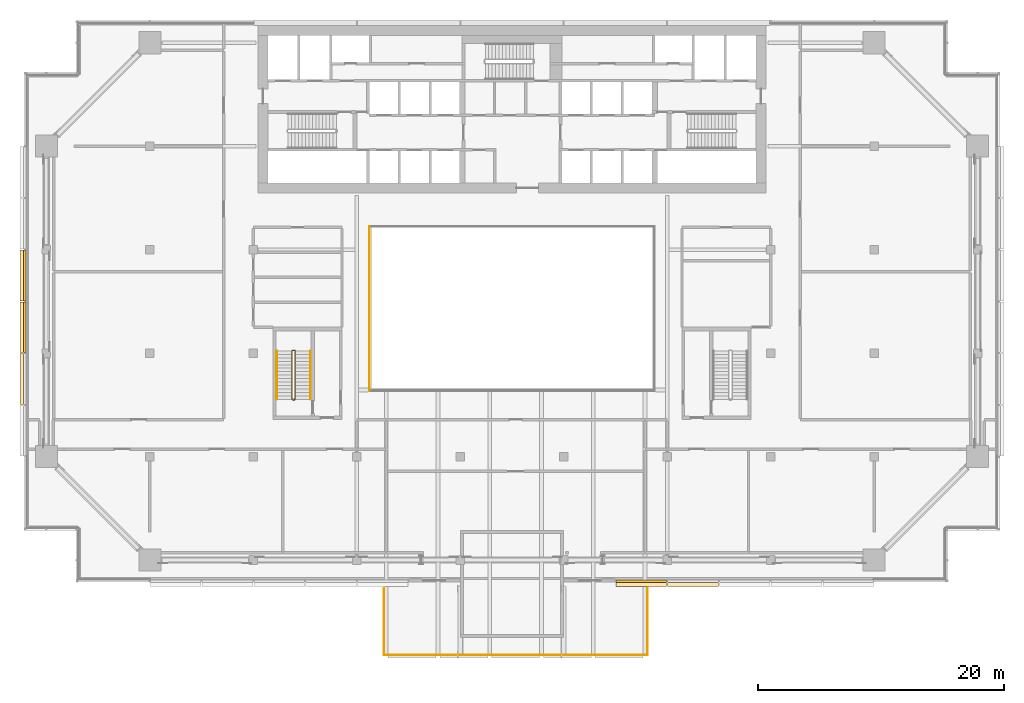
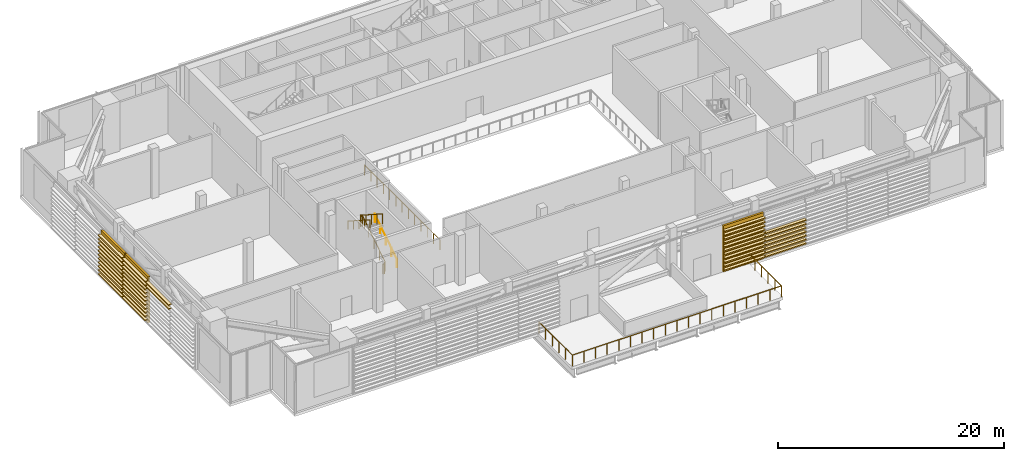
# One storey, part 26 of 29: 45 coverings, 5 railings.
"""IFC4 building model written with IfcOpenShell, lengths in metres."""

from ifc_helpers import new_model, si_unit, direction, frame, origin, origin_2d, place, context, subcontext, project, spatial, polyline, circle, outline, extrude, material, layer, layer_set, type_object, element, save


model = new_model("IFC4")

# Units and contexts
model_context = context("Model", 3, precision=1e-05, world=origin(), true_north=direction((0.0, 1.0)))
body_context = subcontext(model_context, "Body", "Model", "MODEL_VIEW")
ifc_project = project(units=[si_unit("LENGTHUNIT", "METRE"), si_unit("AREAUNIT", "SQUARE_METRE"), si_unit("VOLUMEUNIT", "CUBIC_METRE"), si_unit("PLANEANGLEUNIT", "RADIAN"), si_unit("MASSUNIT", "GRAM", prefix="KILO")], contexts=[model_context])

# Site, building, storey
site_placement = place(None, origin())
site = spatial("IfcSite", under=ifc_project, at=site_placement, CompositionType="ELEMENT")
building_placement = place(site_placement, origin())
building = spatial("IfcBuilding", under=site, at=building_placement, Name="Saffron Gate Tower", CompositionType="ELEMENT")
storey_placement = place(building_placement, frame((0.0, 0.0, 142.050048828125)))
storey = spatial("IfcBuildingStorey", under=building, at=storey_placement, Name="L34", CompositionType="ELEMENT", Elevation=142.050048828125)

# Railings
ifc_material_1 = material(Name="Stainless steel and laminated glass", Category="steel")
railing_type_1 = type_object("IfcRailingType", Name="AG1 Atrium edge guard 1100", PredefinedType="GUARDRAIL", material=ifc_material_1)
railing_1_placement = place(storey_placement, frame((76.02001953125, 45.5400390625, 0.0)))
element("IfcRailing", 1, at=railing_1_placement, inside=storey, type_object=railing_type_1, Name="Guard SL-1", PredefinedType="GUARDRAIL", context=body_context, shape_type="SweptSolid", body=[
    extrude(circle(Radius=0.02392578125, at=origin_2d()), frame((0.0, 0.0, 1.076171875), z_axis=(0.0, 1.0, 0.0), x_axis=(-1.0, 0.0, 0.0)), (0.0, 0.0, 1.0), 13.320068359375),
    extrude(circle(Radius=0.02099609375, at=origin_2d()), origin(), (0.0, 0.0, 1.0), 1.052001953125),
    extrude(circle(Radius=0.02099609375, at=origin_2d()), frame((0.0, 1.110107421875, 0.0)), (0.0, 0.0, 1.0), 1.052001953125),
    extrude(circle(Radius=0.02099609375, at=origin_2d()), frame((0.0, 2.219970703125, 0.0)), (0.0, 0.0, 1.0), 1.052001953125),
    extrude(circle(Radius=0.02099609375, at=origin_2d()), frame((0.0, 3.330078125, 0.0)), (0.0, 0.0, 1.0), 1.052001953125),
    extrude(circle(Radius=0.02099609375, at=origin_2d()), frame((0.0, 4.43994140625, 0.0)), (0.0, 0.0, 1.0), 1.052001953125),
    extrude(circle(Radius=0.02099609375, at=origin_2d()), frame((0.0, 5.550048828125, 0.0)), (0.0, 0.0, 1.0), 1.052001953125),
    extrude(circle(Radius=0.02099609375, at=origin_2d()), frame((0.0, 6.66015625, 0.0)), (0.0, 0.0, 1.0), 1.052001953125),
    extrude(circle(Radius=0.02099609375, at=origin_2d()), frame((0.0, 7.77001953125, 0.0)), (0.0, 0.0, 1.0), 1.052001953125),
    extrude(circle(Radius=0.02099609375, at=origin_2d()), frame((0.0, 8.880126953125, 0.0)), (0.0, 0.0, 1.0), 1.052001953125),
    extrude(circle(Radius=0.02099609375, at=origin_2d()), frame((0.0, 9.989990234375, 0.0)), (0.0, 0.0, 1.0), 1.052001953125),
    extrude(circle(Radius=0.02099609375, at=origin_2d()), frame((0.0, 11.10009765625, 0.0)), (0.0, 0.0, 1.0), 1.052001953125),
    extrude(circle(Radius=0.02099609375, at=origin_2d()), frame((0.0, 12.2099609375, 0.0)), (0.0, 0.0, 1.0), 1.052001953125),
    extrude(circle(Radius=0.02099609375, at=origin_2d()), frame((0.0, 13.320068359375, 0.0)), (0.0, 0.0, 1.0), 1.052001953125),
])
ifc_material_2 = material(Name="Stainless steel posts and toughened glass infill", Category="steel")
railing_type_2 = type_object("IfcRailingType", Name="BAL1 balustrade 1200", PredefinedType="BALUSTRADE", material=ifc_material_2)
railing_2_placement = place(storey_placement, frame((77.199951171875, 30.0, 0.0)))
element("IfcRailing", 2, at=railing_2_placement, inside=storey, type_object=railing_type_2, Name="POOL TERRACE glass guard", PredefinedType="BALUSTRADE", context=body_context, shape_type="SweptSolid", body=[
    extrude(circle(Radius=0.02392578125, at=origin_2d()), frame((0.0, 0.0, 1.17578125), z_axis=(0.0, -1.0, 0.0), x_axis=(1.0, 0.0, 0.0)), (0.0, 0.0, 1.0), 5.89990234375),
    extrude(circle(Radius=0.02392578125, at=origin_2d()), frame((0.0, -5.89990234375, 1.17578125), z_axis=(1.0, 0.0, 0.0), x_axis=(0.0, 1.0, 0.0)), (0.0, 0.0, 1.0), 21.400146484375),
    extrude(circle(Radius=0.02392578125, at=origin_2d()), frame((21.400146484375, -5.89990234375, 1.17578125), z_axis=(0.0, 1.0, 0.0), x_axis=(-1.0, 0.0, 0.0)), (0.0, 0.0, 1.0), 5.89990234375),
    extrude(circle(Radius=0.02099609375, at=origin_2d()), origin(), (0.0, 0.0, 1.0), 1.15185546875),
    extrude(circle(Radius=0.02099609375, at=origin_2d()), frame((0.0, -1.179931640625, 0.0)), (0.0, 0.0, 1.0), 1.15185546875),
    extrude(circle(Radius=0.02099609375, at=origin_2d()), frame((0.0, -2.35986328125, 0.0)), (0.0, 0.0, 1.0), 1.15185546875),
    extrude(circle(Radius=0.02099609375, at=origin_2d()), frame((0.0, -3.5400390625, 0.0)), (0.0, 0.0, 1.0), 1.15185546875),
    extrude(circle(Radius=0.02099609375, at=origin_2d()), frame((0.0, -4.719970703125, 0.0)), (0.0, 0.0, 1.0), 1.15185546875),
    extrude(circle(Radius=0.02099609375, at=origin_2d()), frame((0.0, -5.89990234375, 0.0)), (0.0, 0.0, 1.0), 1.15185546875),
    extrude(circle(Radius=0.02099609375, at=origin_2d()), frame((1.18896484375, -5.89990234375, 0.0)), (0.0, 0.0, 1.0), 1.15185546875),
    extrude(circle(Radius=0.02099609375, at=origin_2d()), frame((2.377685546875, -5.89990234375, 0.0)), (0.0, 0.0, 1.0), 1.15185546875),
    extrude(circle(Radius=0.02099609375, at=origin_2d()), frame((3.566650390625, -5.89990234375, 0.0)), (0.0, 0.0, 1.0), 1.15185546875),
    extrude(circle(Radius=0.02099609375, at=origin_2d()), frame((4.755615234375, -5.89990234375, 0.0)), (0.0, 0.0, 1.0), 1.15185546875),
    extrude(circle(Radius=0.02099609375, at=origin_2d()), frame((5.944580078125, -5.89990234375, 0.0)), (0.0, 0.0, 1.0), 1.15185546875),
    extrude(circle(Radius=0.02099609375, at=origin_2d()), frame((7.13330078125, -5.89990234375, 0.0)), (0.0, 0.0, 1.0), 1.15185546875),
    extrude(circle(Radius=0.02099609375, at=origin_2d()), frame((8.322265625, -5.89990234375, 0.0)), (0.0, 0.0, 1.0), 1.15185546875),
    extrude(circle(Radius=0.02099609375, at=origin_2d()), frame((9.51123046875, -5.89990234375, 0.0)), (0.0, 0.0, 1.0), 1.15185546875),
    extrude(circle(Radius=0.02099609375, at=origin_2d()), frame((10.7001953125, -5.89990234375, 0.0)), (0.0, 0.0, 1.0), 1.15185546875),
    extrude(circle(Radius=0.02099609375, at=origin_2d()), frame((11.888916015625, -5.89990234375, 0.0)), (0.0, 0.0, 1.0), 1.15185546875),
    extrude(circle(Radius=0.02099609375, at=origin_2d()), frame((13.077880859375, -5.89990234375, 0.0)), (0.0, 0.0, 1.0), 1.15185546875),
    extrude(circle(Radius=0.02099609375, at=origin_2d()), frame((14.266845703125, -5.89990234375, 0.0)), (0.0, 0.0, 1.0), 1.15185546875),
    extrude(circle(Radius=0.02099609375, at=origin_2d()), frame((15.45556640625, -5.89990234375, 0.0)), (0.0, 0.0, 1.0), 1.15185546875),
    extrude(circle(Radius=0.02099609375, at=origin_2d()), frame((16.64453125, -5.89990234375, 0.0)), (0.0, 0.0, 1.0), 1.15185546875),
    extrude(circle(Radius=0.02099609375, at=origin_2d()), frame((17.83349609375, -5.89990234375, 0.0)), (0.0, 0.0, 1.0), 1.15185546875),
    extrude(circle(Radius=0.02099609375, at=origin_2d()), frame((19.0224609375, -5.89990234375, 0.0)), (0.0, 0.0, 1.0), 1.15185546875),
    extrude(circle(Radius=0.02099609375, at=origin_2d()), frame((20.211181640625, -5.89990234375, 0.0)), (0.0, 0.0, 1.0), 1.15185546875),
    extrude(circle(Radius=0.02099609375, at=origin_2d()), frame((21.400146484375, -5.89990234375, 0.0)), (0.0, 0.0, 1.0), 1.15185546875),
    extrude(circle(Radius=0.02099609375, at=origin_2d()), frame((21.400146484375, -4.719970703125, 0.0)), (0.0, 0.0, 1.0), 1.15185546875),
    extrude(circle(Radius=0.02099609375, at=origin_2d()), frame((21.400146484375, -3.5400390625, 0.0)), (0.0, 0.0, 1.0), 1.15185546875),
    extrude(circle(Radius=0.02099609375, at=origin_2d()), frame((21.400146484375, -2.35986328125, 0.0)), (0.0, 0.0, 1.0), 1.15185546875),
    extrude(circle(Radius=0.02099609375, at=origin_2d()), frame((21.400146484375, -1.179931640625, 0.0)), (0.0, 0.0, 1.0), 1.15185546875),
    extrude(circle(Radius=0.02099609375, at=origin_2d()), frame((21.400146484375, 0.0, 0.0)), (0.0, 0.0, 1.0), 1.15185546875),
])

# Coverings
ifc_material_3 = material(Name="Ceramic-printed bronze insulated panel")
ifc_layer_1 = layer(ifc_material_3, 0.199951171875)
ifc_layer_set_1 = layer_set([ifc_layer_1], Name="CLDB ceramic-printed backed panel 200")
covering_type_1 = type_object("IfcCoveringType", Name="CLDB ceramic-printed backed panel 200", PredefinedType="CLADDING", material=ifc_layer_set_1)
covering_1_placement = place(storey_placement, origin())
element("IfcCovering", 3, at=covering_1_placement, inside=storey, type_object=covering_type_1, Name="CLADDING backed panel behind the braces", PredefinedType="CLADDING", context=body_context, shape_type="SweptSolid", body=[
    extrude(outline(polyline([(96.0400390625, 29.9599609375), (100.159912109375, 29.9599609375), (100.159912109375, 30.159912109375), (96.0400390625, 30.159912109375), (96.0400390625, 29.9599609375)])), origin(), (0.0, 0.0, 1.0), 5.0),
])
covering_2_placement = place(storey_placement, origin())
element("IfcCovering", 4, at=covering_2_placement, inside=storey, type_object=covering_type_1, Name="CLADDING backed panel behind the braces", PredefinedType="CLADDING", context=body_context, shape_type="SweptSolid", body=[
    extrude(outline(polyline([(47.9599609375, 56.9599609375), (47.9599609375, 52.840087890625), (48.159912109375, 52.840087890625), (48.159912109375, 56.9599609375), (47.9599609375, 56.9599609375)])), origin(), (0.0, 0.0, 1.0), 5.0),
])
covering_3_placement = place(storey_placement, origin())
element("IfcCovering", 5, at=covering_3_placement, inside=storey, type_object=covering_type_1, Name="CLADDING backed panel behind the braces", PredefinedType="CLADDING", context=body_context, shape_type="SweptSolid", body=[
    extrude(outline(polyline([(47.9599609375, 52.760009765625), (47.9599609375, 48.639892578125), (48.159912109375, 48.639892578125), (48.159912109375, 52.760009765625), (47.9599609375, 52.760009765625)])), origin(), (0.0, 0.0, 1.0), 5.0),
])

# Railings
railing_type_3 = type_object("IfcRailingType", Name="CR1 Stair guard 1100", PredefinedType="GUARDRAIL", material=ifc_material_1)
railing_3_placement = place(storey_placement, frame((69.800048828125, 44.800048828125, 0.0)))
element("IfcRailing", 6, at=railing_3_placement, inside=storey, type_object=railing_type_3, Name="L34 ST-D stair guard 1", PredefinedType="GUARDRAIL", context=body_context, shape_type="SweptSolid", body=[
    extrude(circle(Radius=0.02392578125, at=origin_2d()), frame((0.0, 0.0, 1.076171875), z_axis=(1.0, 0.0, 0.0), x_axis=(0.0, 1.0, 0.0)), (0.0, 0.0, 1.0), 0.14990234375),
    extrude(circle(Radius=0.02392578125, at=origin_2d()), frame((0.14990234375, 0.0, 1.076171875), z_axis=(0.258847668887, 0.258847668887, 0.930588936439), x_axis=(-0.707106781187, 0.707106781187, 0.0)), (0.0, 0.0, 1.0), 0.193359375),
    extrude(circle(Radius=0.02392578125, at=origin_2d()), frame((0.199951171875, 0.050048828125, 1.255859375), z_axis=(0.0, 0.841171666519, 0.540768182723), x_axis=(-1.0, 0.0, 0.0)), (0.0, 0.0, 1.0), 4.66015625),
    extrude(circle(Radius=0.02392578125, at=origin_2d()), frame((0.199951171875, 3.969970703125, 3.77587890625), z_axis=(-0.707106781187, 0.707106781187, 0.0), x_axis=(-0.707106781187, -0.707106781187, 0.0)), (0.0, 0.0, 1.0), 0.07080078125),
    extrude(circle(Radius=0.02392578125, at=origin_2d()), frame((0.14990234375, 4.02001953125, 3.77587890625), z_axis=(-1.0, 0.0, 0.0), x_axis=(0.0, -1.0, 0.0)), (0.0, 0.0, 1.0), 0.14990234375),
    extrude(circle(Radius=0.02392578125, at=origin_2d()), frame((0.0, 4.02001953125, 3.77587890625), z_axis=(-0.258847668887, -0.258847668887, 0.930588936439), x_axis=(0.707106781187, -0.707106781187, 0.0)), (0.0, 0.0, 1.0), 0.193359375),
    extrude(circle(Radius=0.02392578125, at=origin_2d()), frame((-0.050048828125, 3.969970703125, 3.9560546875), z_axis=(0.0, -0.841171666519, 0.540768182723), x_axis=(1.0, 0.0, 0.0)), (0.0, 0.0, 1.0), 4.66015625),
    extrude(circle(Radius=0.02099609375, at=origin_2d()), origin(), (0.0, 0.0, 1.0), 1.052001953125),
    extrude(circle(Radius=0.02099609375, at=origin_2d()), frame((0.14990234375, 0.0, 0.0)), (0.0, 0.0, 1.0), 1.052001953125),
    extrude(circle(Radius=0.02099609375, at=origin_2d()), frame((0.199951171875, 0.050048828125, 0.179931640625)), (0.0, 0.0, 1.0), 1.052001953125),
    extrude(circle(Radius=0.02099609375, at=origin_2d()), frame((0.199951171875, 1.030029296875, 0.81005859375)), (0.0, 0.0, 1.0), 1.052001953125),
    extrude(circle(Radius=0.02099609375, at=origin_2d()), frame((0.199951171875, 2.010009765625, 1.43994140625)), (0.0, 0.0, 1.0), 1.052001953125),
    extrude(circle(Radius=0.02099609375, at=origin_2d()), frame((0.199951171875, 2.989990234375, 2.06982421875)), (0.0, 0.0, 1.0), 1.052001953125),
    extrude(circle(Radius=0.02099609375, at=origin_2d()), frame((0.199951171875, 3.969970703125, 2.699951171875)), (0.0, 0.0, 1.0), 1.052001953125),
    extrude(circle(Radius=0.02099609375, at=origin_2d()), frame((0.14990234375, 4.02001953125, 2.699951171875)), (0.0, 0.0, 1.0), 1.052001953125),
    extrude(circle(Radius=0.02099609375, at=origin_2d()), frame((0.0, 4.02001953125, 2.699951171875)), (0.0, 0.0, 1.0), 1.052001953125),
    extrude(circle(Radius=0.02099609375, at=origin_2d()), frame((-0.050048828125, 3.969970703125, 2.8798828125)), (0.0, 0.0, 1.0), 1.052001953125),
    extrude(circle(Radius=0.02099609375, at=origin_2d()), frame((-0.050048828125, 2.989990234375, 3.509765625)), (0.0, 0.0, 1.0), 1.052001953125),
    extrude(circle(Radius=0.02099609375, at=origin_2d()), frame((-0.050048828125, 2.010009765625, 4.139892578125)), (0.0, 0.0, 1.0), 1.052001953125),
    extrude(circle(Radius=0.02099609375, at=origin_2d()), frame((-0.050048828125, 1.030029296875, 4.77001953125)), (0.0, 0.0, 1.0), 1.052001953125),
    extrude(circle(Radius=0.02099609375, at=origin_2d()), frame((-0.050048828125, 0.050048828125, 5.39990234375)), (0.0, 0.0, 1.0), 1.052001953125),
])
ifc_material_4 = material(Name="Stainless steel", Category="steel")
railing_type_4 = type_object("IfcRailingType", Name="CR2 Stair handrail 900", PredefinedType="HANDRAIL", material=ifc_material_4)
railing_4_placement = place(storey_placement, frame((71.25, 44.85009765625, 0.179931640625)))
element("IfcRailing", 7, at=railing_4_placement, inside=storey, type_object=railing_type_4, Name="L34 ST-D stair handrail 1", PredefinedType="HANDRAIL", context=body_context, shape_type="SweptSolid", body=[
    extrude(circle(Radius=0.02392578125, at=origin_2d()), frame((0.0, 0.0, 0.8759765625), z_axis=(0.0, 0.841171666519, 0.540768182723), x_axis=(-1.0, 0.0, 0.0)), (0.0, 0.0, 1.0), 4.66015625),
    extrude(circle(Radius=0.02099609375, at=origin_2d()), origin(), (0.0, 0.0, 1.0), 0.851806640625),
    extrude(circle(Radius=0.02099609375, at=origin_2d()), frame((0.0, 0.97998046875, 0.6298828125)), (0.0, 0.0, 1.0), 0.851806640625),
    extrude(circle(Radius=0.02099609375, at=origin_2d()), frame((0.0, 1.9599609375, 1.260009765625)), (0.0, 0.0, 1.0), 0.851806640625),
    extrude(circle(Radius=0.02099609375, at=origin_2d()), frame((0.0, 2.93994140625, 1.89013671875)), (0.0, 0.0, 1.0), 0.851806640625),
    extrude(circle(Radius=0.02099609375, at=origin_2d()), frame((0.0, 3.919921875, 2.52001953125)), (0.0, 0.0, 1.0), 0.851806640625),
])
railing_5_placement = place(storey_placement, frame((68.5, 48.77001953125, 2.8798828125)))
element("IfcRailing", 8, at=railing_5_placement, inside=storey, type_object=railing_type_4, Name="L34 ST-D stair handrail 2", PredefinedType="HANDRAIL", context=body_context, shape_type="SweptSolid", body=[
    extrude(circle(Radius=0.02392578125, at=origin_2d()), frame((0.0, 0.0, 0.8759765625), z_axis=(0.0, -0.841171666519, 0.540768182723), x_axis=(1.0, 0.0, 0.0)), (0.0, 0.0, 1.0), 4.66015625),
    extrude(circle(Radius=0.02099609375, at=origin_2d()), origin(), (0.0, 0.0, 1.0), 0.851806640625),
    extrude(circle(Radius=0.02099609375, at=origin_2d()), frame((0.0, -0.97998046875, 0.6298828125)), (0.0, 0.0, 1.0), 0.851806640625),
    extrude(circle(Radius=0.02099609375, at=origin_2d()), frame((0.0, -1.9599609375, 1.260009765625)), (0.0, 0.0, 1.0), 0.851806640625),
    extrude(circle(Radius=0.02099609375, at=origin_2d()), frame((0.0, -2.93994140625, 1.89013671875)), (0.0, 0.0, 1.0), 0.851806640625),
    extrude(circle(Radius=0.02099609375, at=origin_2d()), frame((0.0, -3.919921875, 2.52001953125)), (0.0, 0.0, 1.0), 0.851806640625),
])

# Coverings
ifc_layer_2 = layer(ifc_material_3, 0.1201171875)
ifc_layer_set_2 = layer_set([ifc_layer_2], Name="LV1 louvre slat 300")
covering_type_2 = type_object("IfcCoveringType", Name="LV1 louvre slat 300", PredefinedType="CLADDING", material=ifc_layer_set_2)
for number, where, name in (
    (9, (0.0, 0.0, 0.300048828125), "CLADDING louvre slat in front of the outrigger truss"),
    (10, (0.0, 0.0, 0.719970703125), "CLADDING louvre slat in front of the outrigger truss"),
):
    element("IfcCovering", number, at=place(storey_placement, frame(where)), inside=storey, type_object=covering_type_2, Name=name, PredefinedType="CLADDING", context=body_context, shape_type="SweptSolid", body=[
        extrude(outline(polyline([(96.0400390625, 29.659912109375), (100.159912109375, 29.659912109375), (100.159912109375, 29.9599609375), (96.0400390625, 29.9599609375), (96.0400390625, 29.659912109375)])), origin(), (0.0, 0.0, 1.0), 0.119873046875),
    ])
covering_4_placement = place(storey_placement, frame((0.0, 0.0, 1.139892578125)))
element("IfcCovering", 11, at=covering_4_placement, inside=storey, type_object=covering_type_2, Name="CLADDING louvre slat in front of the outrigger truss", PredefinedType="CLADDING", context=body_context, shape_type="SweptSolid", body=[
    extrude(outline(polyline([(96.0400390625, 29.659912109375), (100.159912109375, 29.659912109375), (100.159912109375, 29.9599609375), (96.0400390625, 29.9599609375), (96.0400390625, 29.659912109375)])), origin(), (0.0, 0.0, 1.0), 0.1201171875),
])
for number, where, name in (
    (12, (0.0, 0.0, 1.56005859375), "CLADDING louvre slat in front of the outrigger truss"),
    (13, (0.0, 0.0, 1.97998046875), "CLADDING louvre slat in front of the outrigger truss"),
):
    element("IfcCovering", number, at=place(storey_placement, frame(where)), inside=storey, type_object=covering_type_2, Name=name, PredefinedType="CLADDING", context=body_context, shape_type="SweptSolid", body=[
        extrude(outline(polyline([(96.0400390625, 29.659912109375), (100.159912109375, 29.659912109375), (100.159912109375, 29.9599609375), (96.0400390625, 29.9599609375), (96.0400390625, 29.659912109375)])), origin(), (0.0, 0.0, 1.0), 0.119873046875),
    ])
covering_5_placement = place(storey_placement, frame((0.0, 0.0, 2.39990234375)))
element("IfcCovering", 14, at=covering_5_placement, inside=storey, type_object=covering_type_2, Name="CLADDING louvre slat in front of the outrigger truss", PredefinedType="CLADDING", context=body_context, shape_type="SweptSolid", body=[
    extrude(outline(polyline([(96.0400390625, 29.659912109375), (100.159912109375, 29.659912109375), (100.159912109375, 29.9599609375), (96.0400390625, 29.9599609375), (96.0400390625, 29.659912109375)])), origin(), (0.0, 0.0, 1.0), 0.1201171875),
])
for number, where, name in (
    (15, (0.0, 0.0, 2.820068359375), "CLADDING louvre slat in front of the outrigger truss"),
    (16, (0.0, 0.0, 3.239990234375), "CLADDING louvre slat in front of the outrigger truss"),
):
    element("IfcCovering", number, at=place(storey_placement, frame(where)), inside=storey, type_object=covering_type_2, Name=name, PredefinedType="CLADDING", context=body_context, shape_type="SweptSolid", body=[
        extrude(outline(polyline([(96.0400390625, 29.659912109375), (100.159912109375, 29.659912109375), (100.159912109375, 29.9599609375), (96.0400390625, 29.9599609375), (96.0400390625, 29.659912109375)])), origin(), (0.0, 0.0, 1.0), 0.119873046875),
    ])
for number, where, name in (
    (17, (0.0, 0.0, 3.659912109375), "CLADDING louvre slat in front of the outrigger truss"),
    (18, (0.0, 0.0, 4.079833984375), "CLADDING louvre slat in front of the outrigger truss"),
):
    element("IfcCovering", number, at=place(storey_placement, frame(where)), inside=storey, type_object=covering_type_2, Name=name, PredefinedType="CLADDING", context=body_context, shape_type="SweptSolid", body=[
        extrude(outline(polyline([(96.0400390625, 29.659912109375), (100.159912109375, 29.659912109375), (100.159912109375, 29.9599609375), (96.0400390625, 29.9599609375), (96.0400390625, 29.659912109375)])), origin(), (0.0, 0.0, 1.0), 0.1201171875),
    ])
covering_6_placement = place(storey_placement, frame((0.0, 0.0, 4.5)))
element("IfcCovering", 19, at=covering_6_placement, inside=storey, type_object=covering_type_2, Name="CLADDING louvre slat in front of the outrigger truss", PredefinedType="CLADDING", context=body_context, shape_type="SweptSolid", body=[
    extrude(outline(polyline([(96.0400390625, 29.659912109375), (100.159912109375, 29.659912109375), (100.159912109375, 29.9599609375), (96.0400390625, 29.9599609375), (96.0400390625, 29.659912109375)])), origin(), (0.0, 0.0, 1.0), 0.119873046875),
])
for number, where, name in (
    (20, (0.0, 0.0, 0.300048828125), "CLADDING louvre slat in front of the outrigger truss"),
    (21, (0.0, 0.0, 0.719970703125), "CLADDING louvre slat in front of the outrigger truss"),
):
    element("IfcCovering", number, at=place(storey_placement, frame(where)), inside=storey, type_object=covering_type_2, Name=name, PredefinedType="CLADDING", context=body_context, shape_type="SweptSolid", body=[
        extrude(outline(polyline([(100.239990234375, 29.659912109375), (104.360107421875, 29.659912109375), (104.360107421875, 29.9599609375), (100.239990234375, 29.9599609375), (100.239990234375, 29.659912109375)])), origin(), (0.0, 0.0, 1.0), 0.119873046875),
    ])
covering_7_placement = place(storey_placement, frame((0.0, 0.0, 1.139892578125)))
element("IfcCovering", 22, at=covering_7_placement, inside=storey, type_object=covering_type_2, Name="CLADDING louvre slat in front of the outrigger truss", PredefinedType="CLADDING", context=body_context, shape_type="SweptSolid", body=[
    extrude(outline(polyline([(100.239990234375, 29.659912109375), (104.360107421875, 29.659912109375), (104.360107421875, 29.9599609375), (100.239990234375, 29.9599609375), (100.239990234375, 29.659912109375)])), origin(), (0.0, 0.0, 1.0), 0.1201171875),
])
for number, where, name in (
    (23, (0.0, 0.0, 1.56005859375), "CLADDING louvre slat in front of the outrigger truss"),
    (24, (0.0, 0.0, 1.97998046875), "CLADDING louvre slat in front of the outrigger truss"),
):
    element("IfcCovering", number, at=place(storey_placement, frame(where)), inside=storey, type_object=covering_type_2, Name=name, PredefinedType="CLADDING", context=body_context, shape_type="SweptSolid", body=[
        extrude(outline(polyline([(100.239990234375, 29.659912109375), (104.360107421875, 29.659912109375), (104.360107421875, 29.9599609375), (100.239990234375, 29.9599609375), (100.239990234375, 29.659912109375)])), origin(), (0.0, 0.0, 1.0), 0.119873046875),
    ])
covering_8_placement = place(storey_placement, frame((0.0, 0.0, 2.39990234375)))
element("IfcCovering", 25, at=covering_8_placement, inside=storey, type_object=covering_type_2, Name="CLADDING louvre slat in front of the outrigger truss", PredefinedType="CLADDING", context=body_context, shape_type="SweptSolid", body=[
    extrude(outline(polyline([(100.239990234375, 29.659912109375), (104.360107421875, 29.659912109375), (104.360107421875, 29.9599609375), (100.239990234375, 29.9599609375), (100.239990234375, 29.659912109375)])), origin(), (0.0, 0.0, 1.0), 0.1201171875),
])
covering_9_placement = place(storey_placement, frame((0.0, 0.0, 2.820068359375)))
element("IfcCovering", 26, at=covering_9_placement, inside=storey, type_object=covering_type_2, Name="CLADDING louvre slat in front of the outrigger truss", PredefinedType="CLADDING", context=body_context, shape_type="SweptSolid", body=[
    extrude(outline(polyline([(100.239990234375, 29.659912109375), (104.360107421875, 29.659912109375), (104.360107421875, 29.9599609375), (100.239990234375, 29.9599609375), (100.239990234375, 29.659912109375)])), origin(), (0.0, 0.0, 1.0), 0.119873046875),
])
for number, where, name in (
    (27, (0.0, 0.0, 0.300048828125), "CLADDING louvre slat in front of the outrigger truss"),
    (28, (0.0, 0.0, 0.719970703125), "CLADDING louvre slat in front of the outrigger truss"),
):
    element("IfcCovering", number, at=place(storey_placement, frame(where)), inside=storey, type_object=covering_type_2, Name=name, PredefinedType="CLADDING", context=body_context, shape_type="SweptSolid", body=[
        extrude(outline(polyline([(47.659912109375, 56.9599609375), (47.659912109375, 52.840087890625), (47.9599609375, 52.840087890625), (47.9599609375, 56.9599609375), (47.659912109375, 56.9599609375)])), origin(), (0.0, 0.0, 1.0), 0.119873046875),
    ])
covering_10_placement = place(storey_placement, frame((0.0, 0.0, 1.139892578125)))
element("IfcCovering", 29, at=covering_10_placement, inside=storey, type_object=covering_type_2, Name="CLADDING louvre slat in front of the outrigger truss", PredefinedType="CLADDING", context=body_context, shape_type="SweptSolid", body=[
    extrude(outline(polyline([(47.659912109375, 56.9599609375), (47.659912109375, 52.840087890625), (47.9599609375, 52.840087890625), (47.9599609375, 56.9599609375), (47.659912109375, 56.9599609375)])), origin(), (0.0, 0.0, 1.0), 0.1201171875),
])
for number, where, name in (
    (30, (0.0, 0.0, 1.56005859375), "CLADDING louvre slat in front of the outrigger truss"),
    (31, (0.0, 0.0, 1.97998046875), "CLADDING louvre slat in front of the outrigger truss"),
):
    element("IfcCovering", number, at=place(storey_placement, frame(where)), inside=storey, type_object=covering_type_2, Name=name, PredefinedType="CLADDING", context=body_context, shape_type="SweptSolid", body=[
        extrude(outline(polyline([(47.659912109375, 56.9599609375), (47.659912109375, 52.840087890625), (47.9599609375, 52.840087890625), (47.9599609375, 56.9599609375), (47.659912109375, 56.9599609375)])), origin(), (0.0, 0.0, 1.0), 0.119873046875),
    ])
covering_11_placement = place(storey_placement, frame((0.0, 0.0, 2.39990234375)))
element("IfcCovering", 32, at=covering_11_placement, inside=storey, type_object=covering_type_2, Name="CLADDING louvre slat in front of the outrigger truss", PredefinedType="CLADDING", context=body_context, shape_type="SweptSolid", body=[
    extrude(outline(polyline([(47.659912109375, 56.9599609375), (47.659912109375, 52.840087890625), (47.9599609375, 52.840087890625), (47.9599609375, 56.9599609375), (47.659912109375, 56.9599609375)])), origin(), (0.0, 0.0, 1.0), 0.1201171875),
])
for number, where, name in (
    (33, (0.0, 0.0, 2.820068359375), "CLADDING louvre slat in front of the outrigger truss"),
    (34, (0.0, 0.0, 3.239990234375), "CLADDING louvre slat in front of the outrigger truss"),
):
    element("IfcCovering", number, at=place(storey_placement, frame(where)), inside=storey, type_object=covering_type_2, Name=name, PredefinedType="CLADDING", context=body_context, shape_type="SweptSolid", body=[
        extrude(outline(polyline([(47.659912109375, 56.9599609375), (47.659912109375, 52.840087890625), (47.9599609375, 52.840087890625), (47.9599609375, 56.9599609375), (47.659912109375, 56.9599609375)])), origin(), (0.0, 0.0, 1.0), 0.119873046875),
    ])
for number, where, name in (
    (35, (0.0, 0.0, 3.659912109375), "CLADDING louvre slat in front of the outrigger truss"),
    (36, (0.0, 0.0, 4.079833984375), "CLADDING louvre slat in front of the outrigger truss"),
):
    element("IfcCovering", number, at=place(storey_placement, frame(where)), inside=storey, type_object=covering_type_2, Name=name, PredefinedType="CLADDING", context=body_context, shape_type="SweptSolid", body=[
        extrude(outline(polyline([(47.659912109375, 56.9599609375), (47.659912109375, 52.840087890625), (47.9599609375, 52.840087890625), (47.9599609375, 56.9599609375), (47.659912109375, 56.9599609375)])), origin(), (0.0, 0.0, 1.0), 0.1201171875),
    ])
covering_12_placement = place(storey_placement, frame((0.0, 0.0, 4.5)))
element("IfcCovering", 37, at=covering_12_placement, inside=storey, type_object=covering_type_2, Name="CLADDING louvre slat in front of the outrigger truss", PredefinedType="CLADDING", context=body_context, shape_type="SweptSolid", body=[
    extrude(outline(polyline([(47.659912109375, 56.9599609375), (47.659912109375, 52.840087890625), (47.9599609375, 52.840087890625), (47.9599609375, 56.9599609375), (47.659912109375, 56.9599609375)])), origin(), (0.0, 0.0, 1.0), 0.119873046875),
])
for number, where, name in (
    (38, (0.0, 0.0, 0.300048828125), "CLADDING louvre slat in front of the outrigger truss"),
    (39, (0.0, 0.0, 0.719970703125), "CLADDING louvre slat in front of the outrigger truss"),
):
    element("IfcCovering", number, at=place(storey_placement, frame(where)), inside=storey, type_object=covering_type_2, Name=name, PredefinedType="CLADDING", context=body_context, shape_type="SweptSolid", body=[
        extrude(outline(polyline([(47.659912109375, 52.760009765625), (47.659912109375, 48.639892578125), (47.9599609375, 48.639892578125), (47.9599609375, 52.760009765625), (47.659912109375, 52.760009765625)])), origin(), (0.0, 0.0, 1.0), 0.119873046875),
    ])
covering_13_placement = place(storey_placement, frame((0.0, 0.0, 1.139892578125)))
element("IfcCovering", 40, at=covering_13_placement, inside=storey, type_object=covering_type_2, Name="CLADDING louvre slat in front of the outrigger truss", PredefinedType="CLADDING", context=body_context, shape_type="SweptSolid", body=[
    extrude(outline(polyline([(47.659912109375, 52.760009765625), (47.659912109375, 48.639892578125), (47.9599609375, 48.639892578125), (47.9599609375, 52.760009765625), (47.659912109375, 52.760009765625)])), origin(), (0.0, 0.0, 1.0), 0.1201171875),
])
for number, where, name in (
    (41, (0.0, 0.0, 1.56005859375), "CLADDING louvre slat in front of the outrigger truss"),
    (42, (0.0, 0.0, 1.97998046875), "CLADDING louvre slat in front of the outrigger truss"),
):
    element("IfcCovering", number, at=place(storey_placement, frame(where)), inside=storey, type_object=covering_type_2, Name=name, PredefinedType="CLADDING", context=body_context, shape_type="SweptSolid", body=[
        extrude(outline(polyline([(47.659912109375, 52.760009765625), (47.659912109375, 48.639892578125), (47.9599609375, 48.639892578125), (47.9599609375, 52.760009765625), (47.659912109375, 52.760009765625)])), origin(), (0.0, 0.0, 1.0), 0.119873046875),
    ])
covering_14_placement = place(storey_placement, frame((0.0, 0.0, 2.39990234375)))
element("IfcCovering", 43, at=covering_14_placement, inside=storey, type_object=covering_type_2, Name="CLADDING louvre slat in front of the outrigger truss", PredefinedType="CLADDING", context=body_context, shape_type="SweptSolid", body=[
    extrude(outline(polyline([(47.659912109375, 52.760009765625), (47.659912109375, 48.639892578125), (47.9599609375, 48.639892578125), (47.9599609375, 52.760009765625), (47.659912109375, 52.760009765625)])), origin(), (0.0, 0.0, 1.0), 0.1201171875),
])
for number, where, name in (
    (44, (0.0, 0.0, 2.820068359375), "CLADDING louvre slat in front of the outrigger truss"),
    (45, (0.0, 0.0, 3.239990234375), "CLADDING louvre slat in front of the outrigger truss"),
):
    element("IfcCovering", number, at=place(storey_placement, frame(where)), inside=storey, type_object=covering_type_2, Name=name, PredefinedType="CLADDING", context=body_context, shape_type="SweptSolid", body=[
        extrude(outline(polyline([(47.659912109375, 52.760009765625), (47.659912109375, 48.639892578125), (47.9599609375, 48.639892578125), (47.9599609375, 52.760009765625), (47.659912109375, 52.760009765625)])), origin(), (0.0, 0.0, 1.0), 0.119873046875),
    ])
for number, where, name in (
    (46, (0.0, 0.0, 3.659912109375), "CLADDING louvre slat in front of the outrigger truss"),
    (47, (0.0, 0.0, 4.079833984375), "CLADDING louvre slat in front of the outrigger truss"),
):
    element("IfcCovering", number, at=place(storey_placement, frame(where)), inside=storey, type_object=covering_type_2, Name=name, PredefinedType="CLADDING", context=body_context, shape_type="SweptSolid", body=[
        extrude(outline(polyline([(47.659912109375, 52.760009765625), (47.659912109375, 48.639892578125), (47.9599609375, 48.639892578125), (47.9599609375, 52.760009765625), (47.659912109375, 52.760009765625)])), origin(), (0.0, 0.0, 1.0), 0.1201171875),
    ])
covering_15_placement = place(storey_placement, frame((0.0, 0.0, 4.5)))
element("IfcCovering", 48, at=covering_15_placement, inside=storey, type_object=covering_type_2, Name="CLADDING louvre slat in front of the outrigger truss", PredefinedType="CLADDING", context=body_context, shape_type="SweptSolid", body=[
    extrude(outline(polyline([(47.659912109375, 52.760009765625), (47.659912109375, 48.639892578125), (47.9599609375, 48.639892578125), (47.9599609375, 52.760009765625), (47.659912109375, 52.760009765625)])), origin(), (0.0, 0.0, 1.0), 0.119873046875),
])
covering_16_placement = place(storey_placement, frame((0.0, 0.0, 4.079833984375)))
element("IfcCovering", 49, at=covering_16_placement, inside=storey, type_object=covering_type_2, Name="CLADDING louvre slat in front of the outrigger truss", PredefinedType="CLADDING", context=body_context, shape_type="SweptSolid", body=[
    extrude(outline(polyline([(47.659912109375, 48.56005859375), (47.659912109375, 44.43994140625), (47.9599609375, 44.43994140625), (47.9599609375, 48.56005859375), (47.659912109375, 48.56005859375)])), origin(), (0.0, 0.0, 1.0), 0.1201171875),
])
covering_17_placement = place(storey_placement, frame((0.0, 0.0, 4.5)))
element("IfcCovering", 50, at=covering_17_placement, inside=storey, type_object=covering_type_2, Name="CLADDING louvre slat in front of the outrigger truss", PredefinedType="CLADDING", context=body_context, shape_type="SweptSolid", body=[
    extrude(outline(polyline([(47.659912109375, 48.56005859375), (47.659912109375, 44.43994140625), (47.9599609375, 44.43994140625), (47.9599609375, 48.56005859375), (47.659912109375, 48.56005859375)])), origin(), (0.0, 0.0, 1.0), 0.119873046875),
])

save(model, "model.ifc")
